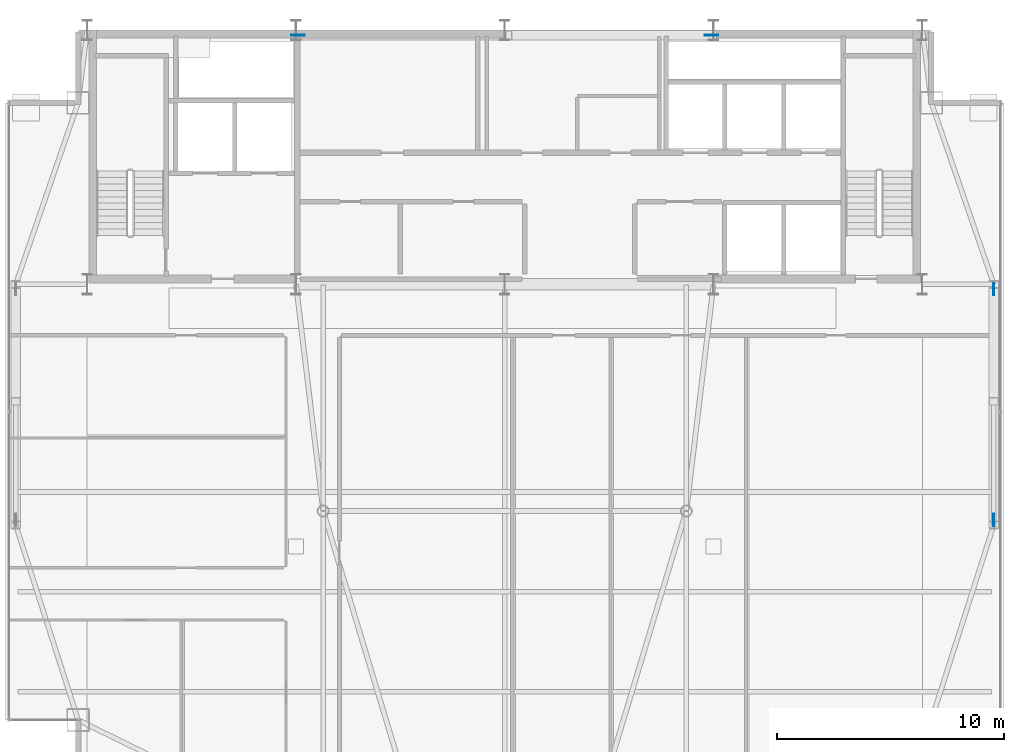
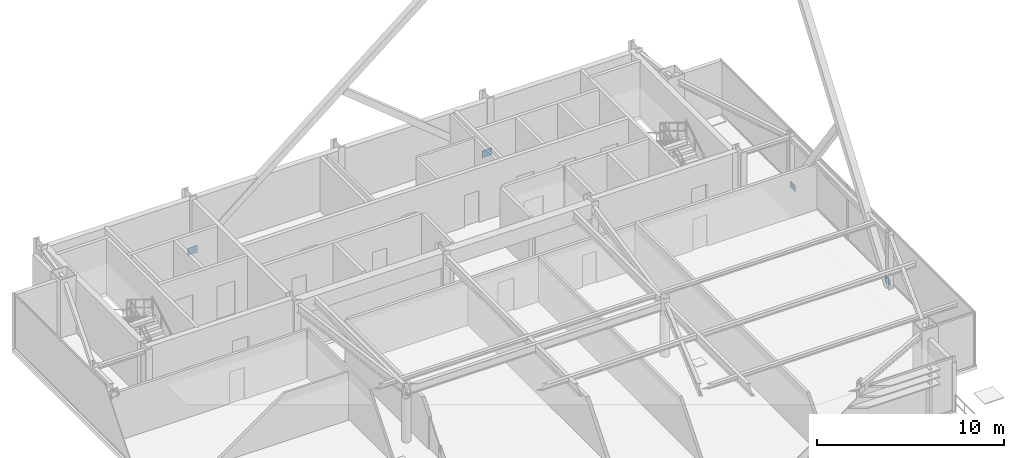
# One storey, part 20 of 25: 4 plates.
"""IFC4 building model written with IfcOpenShell, lengths in metres."""

from ifc_helpers import new_model, si_unit, direction, frame, origin, origin_2d, place, context, subcontext, project, spatial, rectangle, extrude, source, transform, mapped, material, layer, layer_set, type_object, type_shapes, element, save


model = new_model("IFC4")

# Units and contexts
model_context = context("Model", 3, precision=1e-05, world=origin(), true_north=direction((0.0, 1.0)))
body_context = subcontext(model_context, "Body", "Model", "MODEL_VIEW")
ifc_project = project(units=[si_unit("LENGTHUNIT", "METRE"), si_unit("AREAUNIT", "SQUARE_METRE"), si_unit("VOLUMEUNIT", "CUBIC_METRE"), si_unit("PLANEANGLEUNIT", "RADIAN"), si_unit("MASSUNIT", "GRAM", prefix="KILO")], contexts=[model_context])

# Site, building, storey
site_placement = place(None, origin())
site = spatial("IfcSite", under=ifc_project, at=site_placement, CompositionType="ELEMENT")
building_placement = place(site_placement, origin())
building = spatial("IfcBuilding", under=site, at=building_placement, Name="Varnel Quay Broadcast Tower", CompositionType="ELEMENT")
storey_placement = place(building_placement, frame((0.0, 0.0, 258.39990234375)))
storey = spatial("IfcBuildingStorey", under=building, at=storey_placement, Name="L64", CompositionType="ELEMENT", Elevation=258.39990234375)

# Plates
ifc_material = material(Name="Structural Steel CSA G40.21 350WT", Category="steel")
ifc_layer_1 = layer(ifc_material, 0.031982421875, Name="Structural Steel CSA G40.21 350WT")
ifc_layer_set_1 = layer_set([ifc_layer_1], Name="Structural Steel CSA G40.21 350WT")
plate_type_1 = type_object("IfcPlateType", Name="Plate_EndCap", PredefinedType="USERDEFINED", material=ifc_layer_set_1)
shared_shape_1 = source(origin(), body_context, "Body", "SweptSolid", [
    extrude(rectangle(XDim=0.5400390625, YDim=0.031982421875, at=origin_2d()), origin(), (0.0, 0.0, 1.0), 0.3798828125),
])
type_shapes(plate_type_1, [shared_shape_1])
for number, where, z_axis, x_axis, name in (
    (1, (55.550048828125, 25.22021484375, 0.139892578125), (0.0, 0.0, 1.0), (0.0, 1.0, 0.0), "Zone 5 Mega-Brace E-FT1 Diag A End Connection Plate P0"),
    (2, (55.550048828125, 35.3798828125, 0.139892578125), (0.0, 0.0, 1.0), (0.0, 1.0, 0.0), "Zone 5 Mega-Brace E-FT1 Diag B1 End Connection Plate P0"),
):
    element("IfcPlate", number, at=place(storey_placement, frame(where, z_axis=z_axis, x_axis=x_axis)), inside=storey, type_object=plate_type_1, Name=name, ObjectType="CAP_PLATE", PredefinedType="USERDEFINED", context=body_context, shape_type="MappedRepresentation", body=[
        mapped(shared_shape_1, transform((0.0, 0.0, 0.0), x_axis=(1.0, 0.0, 0.0), y_axis=(0.0, 1.0, 0.0), z_axis=(0.0, 0.0, 1.0), scale=1.0)),
    ])
ifc_layer_2 = layer(ifc_material, 0.0400390625, Name="Structural Steel CSA G40.21 350WT")
ifc_layer_set_2 = layer_set([ifc_layer_2], Name="Structural Steel CSA G40.21 350WT")
plate_type_2 = type_object("IfcPlateType", Name="Plate_EmbedPlate", PredefinedType="USERDEFINED", material=ifc_layer_set_2)
shared_shape_2 = source(origin(), body_context, "Body", "SweptSolid", [
    extrude(rectangle(XDim=0.60009765625, YDim=0.0400390625, at=origin_2d()), origin(), (0.0, 0.0, 1.0), 0.449951171875),
])
type_shapes(plate_type_2, [shared_shape_2])
for number, where, z_axis, x_axis, name in (
    (3, (24.893310546875, 46.580078125, -0.12939453125), (0.0, 0.0, 1.0), (1.0, 0.0, 0.0), "Zone 5 Mega-Brace N-CT1 Diag A Wall Cast-In Embed Plate P0"),
    (4, (43.106689453125, 46.580078125, -0.12939453125), (0.0, 0.0, 1.0), (1.0, 0.0, 0.0), "Zone 5 Mega-Brace N-CT1 Diag B1 Wall Cast-In Embed Plate P0"),
):
    element("IfcPlate", number, at=place(storey_placement, frame(where, z_axis=z_axis, x_axis=x_axis)), inside=storey, type_object=plate_type_2, Name=name, ObjectType="EMBED_PLATE", PredefinedType="USERDEFINED", context=body_context, shape_type="MappedRepresentation", body=[
        mapped(shared_shape_2, transform((0.0, 0.0, 0.0), x_axis=(1.0, 0.0, 0.0), y_axis=(0.0, 1.0, 0.0), z_axis=(0.0, 0.0, 1.0), scale=1.0)),
    ])

save(model, "model.ifc")
